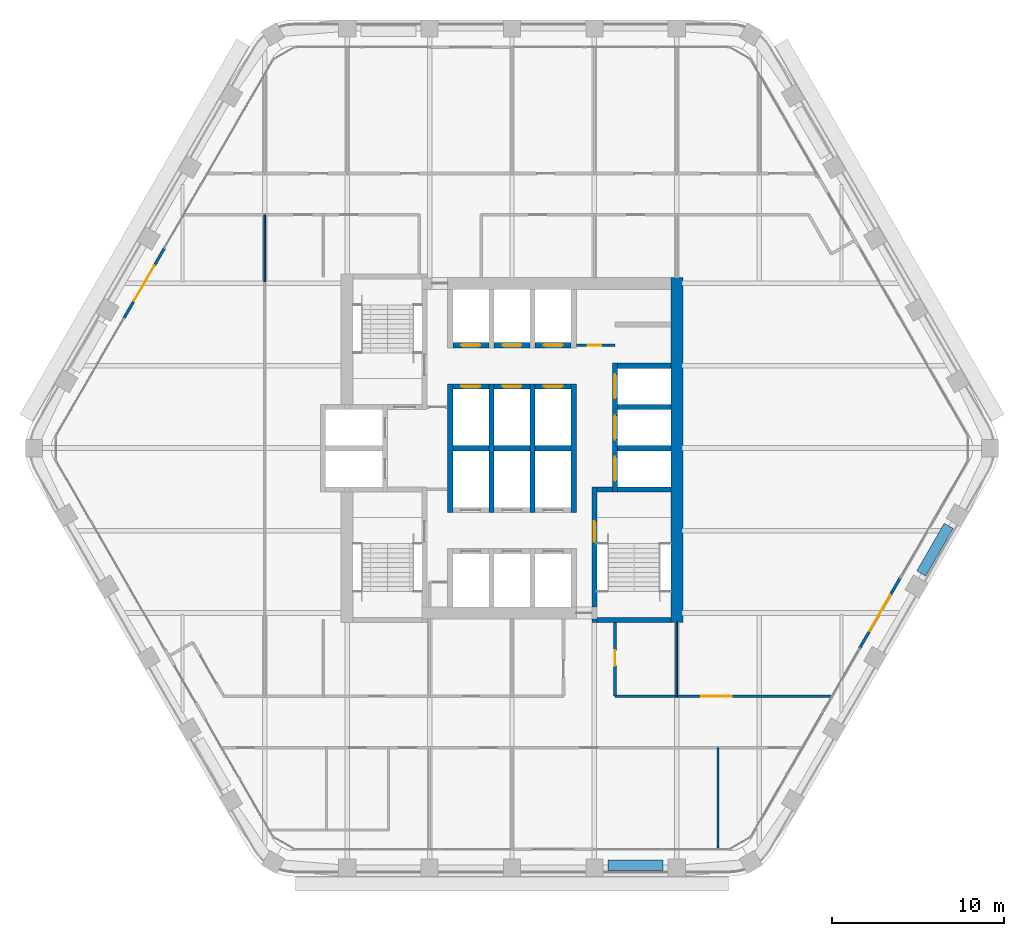
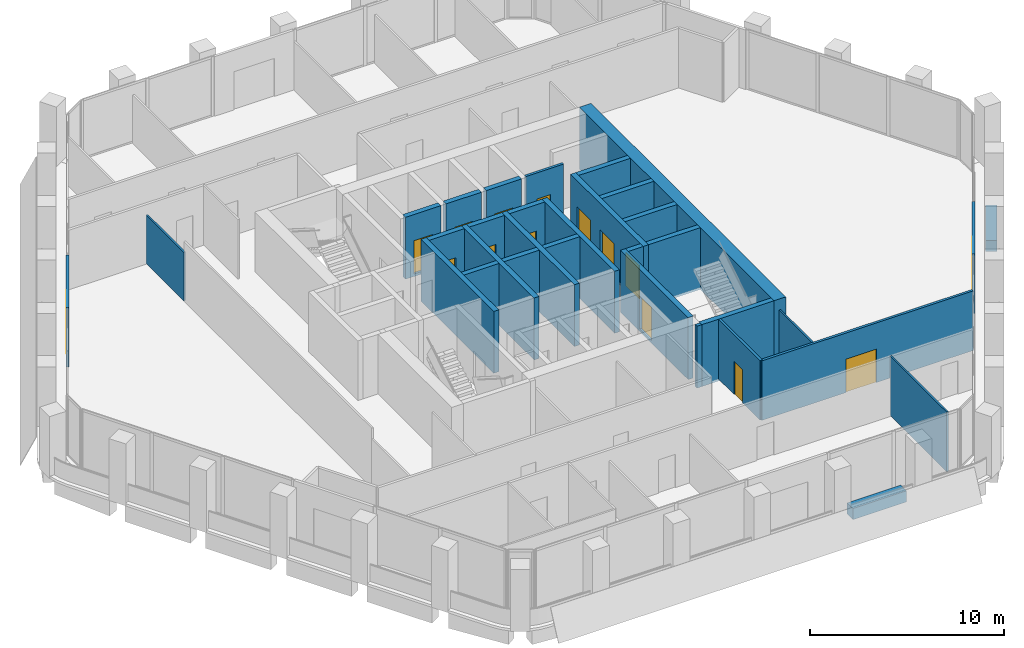
# One storey, part 10 of 15: 33 walls, 15 doors, 15 openings.
"""IFC4 building model written with IfcOpenShell, lengths in metres."""

from ifc_helpers import new_model, si_unit, direction, frame, frame_2d, origin, place, context, subcontext, project, spatial, rectangle, extrude, material, layer, layer_set, type_object, element, fill, save


model = new_model("IFC4")

# Units and contexts
model_context = context("Model", 3, precision=1e-05, world=origin(), true_north=direction((0.0, 1.0)))
body_context = subcontext(model_context, "Body", "Model", "MODEL_VIEW")
ifc_project = project(units=[si_unit("LENGTHUNIT", "METRE"), si_unit("AREAUNIT", "SQUARE_METRE"), si_unit("VOLUMEUNIT", "CUBIC_METRE"), si_unit("PLANEANGLEUNIT", "RADIAN"), si_unit("MASSUNIT", "GRAM", prefix="KILO")], contexts=[model_context])

# Site, building, storey
site_placement = place(None, origin())
site = spatial("IfcSite", under=ifc_project, at=site_placement, CompositionType="ELEMENT")
building_placement = place(site_placement, origin())
building = spatial("IfcBuilding", under=site, at=building_placement, Name="Kolab Exchange Tower", CompositionType="ELEMENT")
storey_placement = place(building_placement, frame((0.0, 0.0, 205.10009765625)))
storey = spatial("IfcBuildingStorey", under=building, at=storey_placement, Name="L44", CompositionType="ELEMENT", Elevation=205.10009765625)

# Wall
ifc_material_1 = material(Name="Concrete C60/75", Category="concrete")
ifc_layer_1 = layer(ifc_material_1, 0.699951171875)
ifc_layer_set_1 = layer_set([ifc_layer_1], Name="Concrete C60/75")
wall_type_1 = type_object("IfcWallType", Name="CORE WALL 700 C60/75", PredefinedType="SHEAR", material=ifc_layer_set_1)
wall_1_placement = place(storey_placement, frame((9.60009765625, -10.14990234375, -0.150146484375), z_axis=(0.0, 0.0, 1.0), x_axis=(0.0, 1.0, 0.0)))
element("IfcWall", 1, at=wall_1_placement, inside=storey, type_object=wall_type_1, Name="wall/L44/core/058", PredefinedType="SHEAR", context=body_context, shape_type="SweptSolid", body=[
    extrude(rectangle(XDim=20.099853515625, YDim=0.699951171875, at=frame_2d((10.0498046875, 0.0))), origin(), (0.0, 0.0, 1.0), 3.900146484375),
])

# Wall, opening, door
ifc_material_2 = material(Name="Aluminium EN AW-6063 T6", Category="aluminium")
ifc_layer_2 = layer(ifc_material_2, 0.159912109375)
ifc_layer_set_2 = layer_set([ifc_layer_2], Name="Aluminium EN AW-6063 T6")
wall_type_2 = type_object("IfcWallType", Name="DOOR SURROUND WALL 160 ALUMINIUM FRAMED", PredefinedType="PARTITIONING", material=ifc_layer_set_2)
wall_2_placement = place(storey_placement, frame((22.61669921875, -7.5498046875, 0.0), z_axis=(0.0, 0.0, 1.0), x_axis=(-0.5000167099, -0.866015756104, 0.0)))
wall_2 = element("IfcWall", 2, at=wall_2_placement, inside=storey, type_object=wall_type_2, Name="Door surround wall", PredefinedType="PARTITIONING", context=body_context, shape_type="SweptSolid", body=[
    extrude(rectangle(XDim=4.739990234375, YDim=0.159912109375, at=frame_2d((2.3701171875, 0.0))), origin(), (0.0, 0.0, 1.0), 3.75),
])
opening_1_placement = place(wall_2_placement, frame((1.169921875, 0.0, 0.0)))
opening_1 = element("IfcOpeningElement", 3, at=opening_1_placement, cuts=wall_2, Name="Opening GD1-066", PredefinedType="OPENING", context=body_context, shape_type="SweptSolid", body=[
    extrude(rectangle(XDim=2.39990234375, YDim=2.39990234375, at=frame_2d((1.199951171875, 1.199951171875))), frame((0.0, 0.08984375, 0.0), z_axis=(0.0, -1.0, 0.0), x_axis=(1.0, 0.0, 0.0)), (0.0, 0.0, 1.0), 0.179931640625),
])
door_type_1 = type_object("IfcDoorType", Name="LOGGIA SLIDING GLASS DOOR 2400 X 2400", OperationType="DOUBLE_DOOR_SINGLE_SWING", PredefinedType="DOOR", material=ifc_material_2)
door_1_placement = place(opening_1_placement, origin())
door_1 = element("IfcDoor", 4, at=door_1_placement, inside=storey, type_object=door_type_1, Name="Loggia door", OperationType="DOUBLE_DOOR_SLIDING", OverallHeight=2.39990234375, OverallWidth=2.39990234375, PredefinedType="DOOR", context=body_context, shape_type="SweptSolid", body=[
    extrude(rectangle(XDim=2.39990234375, YDim=2.39990234375, at=frame_2d((1.199951171875, 1.199951171875))), frame((0.0, 0.02490234375, 0.0), z_axis=(0.0, -1.0, 0.0), x_axis=(1.0, 0.0, 0.0)), (0.0, 0.0, 1.0), 0.050048828125),
])
fill(opening_1, door_1)

wall_3_placement = place(storey_placement, frame((-22.61669921875, 7.5498046875, 0.0), z_axis=(0.0, 0.0, 1.0), x_axis=(0.5000167099, 0.866015756104, 0.0)))
wall_3 = element("IfcWall", 5, at=wall_3_placement, inside=storey, type_object=wall_type_2, Name="Door surround wall", PredefinedType="PARTITIONING", context=body_context, shape_type="SweptSolid", body=[
    extrude(rectangle(XDim=4.739990234375, YDim=0.159912109375, at=frame_2d((2.3701171875, 0.0))), origin(), (0.0, 0.0, 1.0), 3.75),
])
opening_2_placement = place(wall_3_placement, frame((1.169921875, 0.0, 0.0)))
opening_2 = element("IfcOpeningElement", 6, at=opening_2_placement, cuts=wall_3, Name="Opening GD1-069", PredefinedType="OPENING", context=body_context, shape_type="SweptSolid", body=[
    extrude(rectangle(XDim=2.39990234375, YDim=2.39990234375, at=frame_2d((1.199951171875, 1.199951171875))), frame((0.0, 0.08984375, 0.0), z_axis=(0.0, -1.0, 0.0), x_axis=(1.0, 0.0, 0.0)), (0.0, 0.0, 1.0), 0.179931640625),
])
door_2_placement = place(opening_2_placement, origin())
door_2 = element("IfcDoor", 7, at=door_2_placement, inside=storey, type_object=door_type_1, Name="Loggia door", OperationType="DOUBLE_DOOR_SLIDING", OverallHeight=2.39990234375, OverallWidth=2.39990234375, PredefinedType="DOOR", context=body_context, shape_type="SweptSolid", body=[
    extrude(rectangle(XDim=2.39990234375, YDim=2.39990234375, at=frame_2d((1.199951171875, 1.199951171875))), frame((0.0, 0.02490234375, 0.0), z_axis=(0.0, -1.0, 0.0), x_axis=(1.0, 0.0, 0.0)), (0.0, 0.0, 1.0), 0.050048828125),
])
fill(opening_2, door_2)

# Walls
ifc_material_3 = material(Name="Concrete C50/60", Category="concrete")
ifc_layer_3 = layer(ifc_material_3, 0.300048828125)
ifc_layer_set_3 = layer_set([ifc_layer_3], Name="Concrete C50/60")
wall_type_3 = type_object("IfcWallType", Name="LIFT SHAFT WALL 300 C50/60", PredefinedType="STANDARD", material=ifc_layer_set_3)
wall_4_placement = place(storey_placement, frame((-3.449951171875, 0.0, -0.150146484375), z_axis=(0.0, 0.0, 1.0), x_axis=(1.0, 0.0, 0.0)))
element("IfcWall", 8, at=wall_4_placement, inside=storey, type_object=wall_type_3, Name="wall/L44/core/015", PredefinedType="STANDARD", context=body_context, shape_type="SweptSolid", body=[
    extrude(rectangle(XDim=2.099853515625, YDim=0.300048828125, at=frame_2d((1.0498046875, 0.0))), origin(), (0.0, 0.0, 1.0), 3.900146484375),
])
wall_5_placement = place(storey_placement, frame((-1.050048828125, 0.0, -0.150146484375), z_axis=(0.0, 0.0, 1.0), x_axis=(1.0, 0.0, 0.0)))
element("IfcWall", 9, at=wall_5_placement, inside=storey, type_object=wall_type_3, Name="wall/L44/core/016", PredefinedType="STANDARD", context=body_context, shape_type="SweptSolid", body=[
    extrude(rectangle(XDim=2.10009765625, YDim=0.300048828125, at=frame_2d((1.050048828125, 0.0))), origin(), (0.0, 0.0, 1.0), 3.900146484375),
])
wall_6_placement = place(storey_placement, frame((1.35009765625, 0.0, -0.150146484375), z_axis=(0.0, 0.0, 1.0), x_axis=(1.0, 0.0, 0.0)))
element("IfcWall", 10, at=wall_6_placement, inside=storey, type_object=wall_type_3, Name="wall/L44/core/017", PredefinedType="STANDARD", context=body_context, shape_type="SweptSolid", body=[
    extrude(rectangle(XDim=2.099853515625, YDim=0.300048828125, at=frame_2d((1.0498046875, 0.0))), origin(), (0.0, 0.0, 1.0), 3.900146484375),
])
for number, where, z_axis, x_axis, name in (
    (11, (6.14990234375, 0.0, -0.150146484375), (0.0, 0.0, 1.0), (1.0, 0.0, 0.0), "wall/L44/core/018"),
    (12, (6.14990234375, 2.39990234375, -0.150146484375), (0.0, 0.0, 1.0), (1.0, 0.0, 0.0), "wall/L44/core/022"),
):
    element("IfcWall", number, at=place(storey_placement, frame(where, z_axis=z_axis, x_axis=x_axis)), inside=storey, type_object=wall_type_3, Name=name, PredefinedType="STANDARD", context=body_context, shape_type="SweptSolid", body=[
        extrude(rectangle(XDim=3.10009765625, YDim=0.300048828125, at=frame_2d((1.550048828125, 0.0))), origin(), (0.0, 0.0, 1.0), 3.900146484375),
    ])

# Wall, opening, door
wall_7_placement = place(storey_placement, frame((-3.449951171875, 3.60009765625, -0.150146484375), z_axis=(0.0, 0.0, 1.0), x_axis=(1.0, 0.0, 0.0)))
wall_7 = element("IfcWall", 13, at=wall_7_placement, inside=storey, type_object=wall_type_3, Name="wall/L44/core/023", PredefinedType="STANDARD", context=body_context, shape_type="SweptSolid", body=[
    extrude(rectangle(XDim=2.099853515625, YDim=0.300048828125, at=frame_2d((1.0498046875, 0.0))), origin(), (0.0, 0.0, 1.0), 3.900146484375),
])
opening_3_placement = place(wall_7_placement, frame((0.5, 0.0, 0.14990234375)))
opening_3 = element("IfcOpeningElement", 14, at=opening_3_placement, cuts=wall_7, Name="Opening LD1-115", PredefinedType="OPENING", context=body_context, shape_type="SweptSolid", body=[
    extrude(rectangle(XDim=1.10009765625, YDim=2.10009765625, at=frame_2d((0.550048828125, 1.050048828125))), frame((0.0, 0.16015625, 0.0), z_axis=(0.0, -1.0, 0.0), x_axis=(1.0, 0.0, 0.0)), (0.0, 0.0, 1.0), 0.320068359375),
])
ifc_material_4 = material(Name="Stainless steel 316", Category="steel")
door_type_2 = type_object("IfcDoorType", Name="LANDING DOOR 1100 PASSENGER", OperationType="DOUBLE_DOOR_SLIDING", PredefinedType="DOOR", material=ifc_material_4)
door_3_placement = place(opening_3_placement, origin())
door_3 = element("IfcDoor", 15, at=door_3_placement, inside=storey, type_object=door_type_2, Name="Landing door HR4", OperationType="DOUBLE_DOOR_SLIDING", OverallHeight=2.10009765625, OverallWidth=1.10009765625, PredefinedType="DOOR", context=body_context, shape_type="SweptSolid", body=[
    extrude(rectangle(XDim=1.10009765625, YDim=2.10009765625, at=frame_2d((0.550048828125, 1.050048828125))), frame((0.0, 0.02490234375, 0.0), z_axis=(0.0, -1.0, 0.0), x_axis=(1.0, 0.0, 0.0)), (0.0, 0.0, 1.0), 0.050048828125),
])
fill(opening_3, door_3)

wall_8_placement = place(storey_placement, frame((-1.050048828125, 3.60009765625, -0.150146484375), z_axis=(0.0, 0.0, 1.0), x_axis=(1.0, 0.0, 0.0)))
wall_8 = element("IfcWall", 16, at=wall_8_placement, inside=storey, type_object=wall_type_3, Name="wall/L44/core/024", PredefinedType="STANDARD", context=body_context, shape_type="SweptSolid", body=[
    extrude(rectangle(XDim=2.10009765625, YDim=0.300048828125, at=frame_2d((1.050048828125, 0.0))), origin(), (0.0, 0.0, 1.0), 3.900146484375),
])
opening_4_placement = place(wall_8_placement, frame((0.5, 0.0, 0.14990234375)))
opening_4 = element("IfcOpeningElement", 17, at=opening_4_placement, cuts=wall_8, Name="Opening LD1-116", PredefinedType="OPENING", context=body_context, shape_type="SweptSolid", body=[
    extrude(rectangle(XDim=1.10009765625, YDim=2.10009765625, at=frame_2d((0.550048828125, 1.050048828125))), frame((0.0, 0.16015625, 0.0), z_axis=(0.0, -1.0, 0.0), x_axis=(1.0, 0.0, 0.0)), (0.0, 0.0, 1.0), 0.320068359375),
])
door_4_placement = place(opening_4_placement, origin())
door_4 = element("IfcDoor", 18, at=door_4_placement, inside=storey, type_object=door_type_2, Name="Landing door HR5", OperationType="DOUBLE_DOOR_SLIDING", OverallHeight=2.10009765625, OverallWidth=1.10009765625, PredefinedType="DOOR", context=body_context, shape_type="SweptSolid", body=[
    extrude(rectangle(XDim=1.10009765625, YDim=2.10009765625, at=frame_2d((0.550048828125, 1.050048828125))), frame((0.0, 0.02490234375, 0.0), z_axis=(0.0, -1.0, 0.0), x_axis=(1.0, 0.0, 0.0)), (0.0, 0.0, 1.0), 0.050048828125),
])
fill(opening_4, door_4)

wall_9_placement = place(storey_placement, frame((1.35009765625, 3.60009765625, -0.150146484375), z_axis=(0.0, 0.0, 1.0), x_axis=(1.0, 0.0, 0.0)))
wall_9 = element("IfcWall", 19, at=wall_9_placement, inside=storey, type_object=wall_type_3, Name="wall/L44/core/025", PredefinedType="STANDARD", context=body_context, shape_type="SweptSolid", body=[
    extrude(rectangle(XDim=2.099853515625, YDim=0.300048828125, at=frame_2d((1.0498046875, 0.0))), origin(), (0.0, 0.0, 1.0), 3.900146484375),
])
opening_5_placement = place(wall_9_placement, frame((0.5, 0.0, 0.14990234375)))
opening_5 = element("IfcOpeningElement", 20, at=opening_5_placement, cuts=wall_9, Name="Opening LD1-117", PredefinedType="OPENING", context=body_context, shape_type="SweptSolid", body=[
    extrude(rectangle(XDim=1.10009765625, YDim=2.10009765625, at=frame_2d((0.550048828125, 1.050048828125))), frame((0.0, 0.16015625, 0.0), z_axis=(0.0, -1.0, 0.0), x_axis=(1.0, 0.0, 0.0)), (0.0, 0.0, 1.0), 0.320068359375),
])
door_5_placement = place(opening_5_placement, origin())
door_5 = element("IfcDoor", 21, at=door_5_placement, inside=storey, type_object=door_type_2, Name="Landing door HR6", OperationType="DOUBLE_DOOR_SLIDING", OverallHeight=2.10009765625, OverallWidth=1.10009765625, PredefinedType="DOOR", context=body_context, shape_type="SweptSolid", body=[
    extrude(rectangle(XDim=1.10009765625, YDim=2.10009765625, at=frame_2d((0.550048828125, 1.050048828125))), frame((0.0, 0.02490234375, 0.0), z_axis=(0.0, -1.0, 0.0), x_axis=(1.0, 0.0, 0.0)), (0.0, 0.0, 1.0), 0.050048828125),
])
fill(opening_5, door_5)

# Wall
wall_10_placement = place(storey_placement, frame((6.14990234375, 4.800048828125, -0.150146484375), z_axis=(0.0, 0.0, 1.0), x_axis=(1.0, 0.0, 0.0)))
element("IfcWall", 22, at=wall_10_placement, inside=storey, type_object=wall_type_3, Name="wall/L44/core/026", PredefinedType="STANDARD", context=body_context, shape_type="SweptSolid", body=[
    extrude(rectangle(XDim=3.10009765625, YDim=0.300048828125, at=frame_2d((1.550048828125, 0.0))), origin(), (0.0, 0.0, 1.0), 3.900146484375),
])

# Wall, opening, door
wall_11_placement = place(storey_placement, frame((-3.449951171875, 6.0, -0.150146484375), z_axis=(0.0, 0.0, 1.0), x_axis=(1.0, 0.0, 0.0)))
wall_11 = element("IfcWall", 23, at=wall_11_placement, inside=storey, type_object=wall_type_3, Name="wall/L44/core/027", PredefinedType="STANDARD", context=body_context, shape_type="SweptSolid", body=[
    extrude(rectangle(XDim=2.099853515625, YDim=0.300048828125, at=frame_2d((1.0498046875, 0.0))), origin(), (0.0, 0.0, 1.0), 3.900146484375),
])
opening_6_placement = place(wall_11_placement, frame((0.5, 0.0, 0.14990234375)))
opening_6 = element("IfcOpeningElement", 24, at=opening_6_placement, cuts=wall_11, Name="Opening LD1-109", PredefinedType="OPENING", context=body_context, shape_type="SweptSolid", body=[
    extrude(rectangle(XDim=1.10009765625, YDim=2.10009765625, at=frame_2d((0.550048828125, 1.050048828125))), frame((0.0, 0.16015625, 0.0), z_axis=(0.0, -1.0, 0.0), x_axis=(1.0, 0.0, 0.0)), (0.0, 0.0, 1.0), 0.320068359375),
])
door_6_placement = place(opening_6_placement, origin())
door_6 = element("IfcDoor", 25, at=door_6_placement, inside=storey, type_object=door_type_2, Name="Landing door HR1", OperationType="DOUBLE_DOOR_SLIDING", OverallHeight=2.10009765625, OverallWidth=1.10009765625, PredefinedType="DOOR", context=body_context, shape_type="SweptSolid", body=[
    extrude(rectangle(XDim=1.10009765625, YDim=2.10009765625, at=frame_2d((0.550048828125, 1.050048828125))), frame((0.0, 0.02490234375, 0.0), z_axis=(0.0, -1.0, 0.0), x_axis=(1.0, 0.0, 0.0)), (0.0, 0.0, 1.0), 0.050048828125),
])
fill(opening_6, door_6)

wall_12_placement = place(storey_placement, frame((-1.050048828125, 6.0, -0.150146484375), z_axis=(0.0, 0.0, 1.0), x_axis=(1.0, 0.0, 0.0)))
wall_12 = element("IfcWall", 26, at=wall_12_placement, inside=storey, type_object=wall_type_3, Name="wall/L44/core/028", PredefinedType="STANDARD", context=body_context, shape_type="SweptSolid", body=[
    extrude(rectangle(XDim=2.10009765625, YDim=0.300048828125, at=frame_2d((1.050048828125, 0.0))), origin(), (0.0, 0.0, 1.0), 3.900146484375),
])
opening_7_placement = place(wall_12_placement, frame((0.5, 0.0, 0.14990234375)))
opening_7 = element("IfcOpeningElement", 27, at=opening_7_placement, cuts=wall_12, Name="Opening LD1-113", PredefinedType="OPENING", context=body_context, shape_type="SweptSolid", body=[
    extrude(rectangle(XDim=1.10009765625, YDim=2.10009765625, at=frame_2d((0.550048828125, 1.050048828125))), frame((0.0, 0.16015625, 0.0), z_axis=(0.0, -1.0, 0.0), x_axis=(1.0, 0.0, 0.0)), (0.0, 0.0, 1.0), 0.320068359375),
])
door_7_placement = place(opening_7_placement, origin())
door_7 = element("IfcDoor", 28, at=door_7_placement, inside=storey, type_object=door_type_2, Name="Landing door HR2", OperationType="DOUBLE_DOOR_SLIDING", OverallHeight=2.10009765625, OverallWidth=1.10009765625, PredefinedType="DOOR", context=body_context, shape_type="SweptSolid", body=[
    extrude(rectangle(XDim=1.10009765625, YDim=2.10009765625, at=frame_2d((0.550048828125, 1.050048828125))), frame((0.0, 0.02490234375, 0.0), z_axis=(0.0, -1.0, 0.0), x_axis=(1.0, 0.0, 0.0)), (0.0, 0.0, 1.0), 0.050048828125),
])
fill(opening_7, door_7)

wall_13_placement = place(storey_placement, frame((1.35009765625, 6.0, -0.150146484375), z_axis=(0.0, 0.0, 1.0), x_axis=(1.0, 0.0, 0.0)))
wall_13 = element("IfcWall", 29, at=wall_13_placement, inside=storey, type_object=wall_type_3, Name="wall/L44/core/029", PredefinedType="STANDARD", context=body_context, shape_type="SweptSolid", body=[
    extrude(rectangle(XDim=2.099853515625, YDim=0.300048828125, at=frame_2d((1.0498046875, 0.0))), origin(), (0.0, 0.0, 1.0), 3.900146484375),
])
opening_8_placement = place(wall_13_placement, frame((0.5, 0.0, 0.14990234375)))
opening_8 = element("IfcOpeningElement", 30, at=opening_8_placement, cuts=wall_13, Name="Opening LD1-114", PredefinedType="OPENING", context=body_context, shape_type="SweptSolid", body=[
    extrude(rectangle(XDim=1.10009765625, YDim=2.10009765625, at=frame_2d((0.550048828125, 1.050048828125))), frame((0.0, 0.16015625, 0.0), z_axis=(0.0, -1.0, 0.0), x_axis=(1.0, 0.0, 0.0)), (0.0, 0.0, 1.0), 0.320068359375),
])
door_8_placement = place(opening_8_placement, origin())
door_8 = element("IfcDoor", 31, at=door_8_placement, inside=storey, type_object=door_type_2, Name="Landing door HR3", OperationType="DOUBLE_DOOR_SLIDING", OverallHeight=2.10009765625, OverallWidth=1.10009765625, PredefinedType="DOOR", context=body_context, shape_type="SweptSolid", body=[
    extrude(rectangle(XDim=1.10009765625, YDim=2.10009765625, at=frame_2d((0.550048828125, 1.050048828125))), frame((0.0, 0.02490234375, 0.0), z_axis=(0.0, -1.0, 0.0), x_axis=(1.0, 0.0, 0.0)), (0.0, 0.0, 1.0), 0.050048828125),
])
fill(opening_8, door_8)

# Walls
for number, where, z_axis, x_axis, name in (
    (32, (-3.60009765625, -3.75, -0.150146484375), (0.0, 0.0, 1.0), (0.0, 1.0, 0.0), "wall/L44/core/044"),
    (33, (-1.199951171875, -3.75, -0.150146484375), (0.0, 0.0, 1.0), (0.0, 1.0, 0.0), "wall/L44/core/047"),
    (34, (1.199951171875, -3.75, -0.150146484375), (0.0, 0.0, 1.0), (0.0, 1.0, 0.0), "wall/L44/core/050"),
    (35, (3.60009765625, -3.75, -0.150146484375), (0.0, 0.0, 1.0), (0.0, 1.0, 0.0), "wall/L44/core/053"),
):
    element("IfcWall", number, at=place(storey_placement, frame(where, z_axis=z_axis, x_axis=x_axis)), inside=storey, type_object=wall_type_3, Name=name, PredefinedType="STANDARD", context=body_context, shape_type="SweptSolid", body=[
        extrude(rectangle(XDim=7.5, YDim=0.300048828125, at=frame_2d((3.75, 0.0))), origin(), (0.0, 0.0, 1.0), 3.900146484375),
    ])

# Wall, openings, doors
wall_14_placement = place(storey_placement, frame((6.0, -2.550048828125, -0.150146484375), z_axis=(0.0, 0.0, 1.0), x_axis=(0.0, 1.0, 0.0)))
wall_14 = element("IfcWall", 36, at=wall_14_placement, inside=storey, type_object=wall_type_3, Name="wall/L44/core/057", PredefinedType="STANDARD", context=body_context, shape_type="SweptSolid", body=[
    extrude(rectangle(XDim=7.5, YDim=0.300048828125, at=frame_2d((3.75, 0.0))), origin(), (0.0, 0.0, 1.0), 3.900146484375),
])
opening_9_placement = place(wall_14_placement, frame((0.64990234375, 0.0, 0.14990234375)))
opening_9 = element("IfcOpeningElement", 37, at=opening_9_placement, cuts=wall_14, Name="Opening LD3-037", PredefinedType="OPENING", context=body_context, shape_type="SweptSolid", body=[
    extrude(rectangle(XDim=1.39990234375, YDim=2.10009765625, at=frame_2d((0.699951171875, 1.050048828125))), frame((0.0, 0.16015625, 0.0), z_axis=(0.0, -1.0, 0.0), x_axis=(1.0, 0.0, 0.0)), (0.0, 0.0, 1.0), 0.320068359375),
])
opening_10_placement = place(wall_14_placement, frame((3.050048828125, 0.0, 0.14990234375)))
opening_10 = element("IfcOpeningElement", 38, at=opening_10_placement, cuts=wall_14, Name="Opening LD3-038", PredefinedType="OPENING", context=body_context, shape_type="SweptSolid", body=[
    extrude(rectangle(XDim=1.39990234375, YDim=2.10009765625, at=frame_2d((0.699951171875, 1.050048828125))), frame((0.0, 0.16015625, 0.0), z_axis=(0.0, -1.0, 0.0), x_axis=(1.0, 0.0, 0.0)), (0.0, 0.0, 1.0), 0.320068359375),
])
opening_11_placement = place(wall_14_placement, frame((5.449951171875, 0.0, 0.14990234375)))
opening_11 = element("IfcOpeningElement", 39, at=opening_11_placement, cuts=wall_14, Name="Opening LD3-039", PredefinedType="OPENING", context=body_context, shape_type="SweptSolid", body=[
    extrude(rectangle(XDim=1.39990234375, YDim=2.10009765625, at=frame_2d((0.699951171875, 1.050048828125))), frame((0.0, 0.16015625, 0.0), z_axis=(0.0, -1.0, 0.0), x_axis=(1.0, 0.0, 0.0)), (0.0, 0.0, 1.0), 0.320068359375),
])
door_type_3 = type_object("IfcDoorType", Name="LANDING DOOR 1400 SERVICE", OperationType="DOUBLE_DOOR_SLIDING", PredefinedType="DOOR", material=ifc_material_4)
door_9_placement = place(opening_9_placement, origin())
door_9 = element("IfcDoor", 40, at=door_9_placement, inside=storey, type_object=door_type_3, Name="Landing door SV1", OperationType="DOUBLE_DOOR_SLIDING", OverallHeight=2.10009765625, OverallWidth=1.39990234375, PredefinedType="DOOR", context=body_context, shape_type="SweptSolid", body=[
    extrude(rectangle(XDim=1.39990234375, YDim=2.10009765625, at=frame_2d((0.699951171875, 1.050048828125))), frame((0.0, 0.02490234375, 0.0), z_axis=(0.0, -1.0, 0.0), x_axis=(1.0, 0.0, 0.0)), (0.0, 0.0, 1.0), 0.050048828125),
])
fill(opening_9, door_9)
door_10_placement = place(opening_10_placement, origin())
door_10 = element("IfcDoor", 41, at=door_10_placement, inside=storey, type_object=door_type_3, Name="Landing door SV2", OperationType="DOUBLE_DOOR_SLIDING", OverallHeight=2.10009765625, OverallWidth=1.39990234375, PredefinedType="DOOR", context=body_context, shape_type="SweptSolid", body=[
    extrude(rectangle(XDim=1.39990234375, YDim=2.10009765625, at=frame_2d((0.699951171875, 1.050048828125))), frame((0.0, 0.02490234375, 0.0), z_axis=(0.0, -1.0, 0.0), x_axis=(1.0, 0.0, 0.0)), (0.0, 0.0, 1.0), 0.050048828125),
])
fill(opening_10, door_10)
door_11_placement = place(opening_11_placement, origin())
door_11 = element("IfcDoor", 42, at=door_11_placement, inside=storey, type_object=door_type_3, Name="Landing door SV3", OperationType="DOUBLE_DOOR_SLIDING", OverallHeight=2.10009765625, OverallWidth=1.39990234375, PredefinedType="DOOR", context=body_context, shape_type="SweptSolid", body=[
    extrude(rectangle(XDim=1.39990234375, YDim=2.10009765625, at=frame_2d((0.699951171875, 1.050048828125))), frame((0.0, 0.02490234375, 0.0), z_axis=(0.0, -1.0, 0.0), x_axis=(1.0, 0.0, 0.0)), (0.0, 0.0, 1.0), 0.050048828125),
])
fill(opening_11, door_11)

# Walls
ifc_material_5 = material(Name="Gypsum board", Category="gypsum")
ifc_layer_4 = layer(ifc_material_5, 0.10009765625)
ifc_layer_set_4 = layer_set([ifc_layer_4], Name="Gypsum board")
wall_type_4 = type_object("IfcWallType", Name="PARTITION 100", PredefinedType="PARTITIONING", material=ifc_layer_set_4)
wall_15_placement = place(storey_placement, frame((12.0, -23.271484375, 0.0), z_axis=(0.0, 0.0, 1.0), x_axis=(0.0, 1.0, 0.0)))
element("IfcWall", 43, at=wall_15_placement, inside=storey, type_object=wall_type_4, Name="Partition 001", PredefinedType="PARTITIONING", context=body_context, shape_type="SweptSolid", body=[
    extrude(rectangle(XDim=5.830078125, YDim=0.10009765625, at=frame_2d((2.9150390625, 0.0))), origin(), (0.0, 0.0, 1.0), 3.75),
])
wall_16_placement = place(storey_placement, frame((9.60009765625, -14.44140625, 0.0), z_axis=(0.0, 0.0, 1.0), x_axis=(0.0, 1.0, 0.0)))
element("IfcWall", 44, at=wall_16_placement, inside=storey, type_object=wall_type_4, Name="Partition 002", PredefinedType="PARTITIONING", context=body_context, shape_type="SweptSolid", body=[
    extrude(rectangle(XDim=4.29150390625, YDim=0.10009765625, at=frame_2d((2.145751953125, 0.0))), origin(), (0.0, 0.0, 1.0), 3.06591796875),
])
wall_17_placement = place(storey_placement, frame((-14.39990234375, 9.693603515625, 0.0), z_axis=(0.0, 0.0, 1.0), x_axis=(0.0, 1.0, 0.0)))
element("IfcWall", 45, at=wall_17_placement, inside=storey, type_object=wall_type_4, Name="Partition 022", PredefinedType="PARTITIONING", context=body_context, shape_type="SweptSolid", body=[
    extrude(rectangle(XDim=3.906494140625, YDim=0.10009765625, at=frame_2d((1.953125, 0.0))), origin(), (0.0, 0.0, 1.0), 3.06591796875),
])

# Wall, opening, door
ifc_layer_5 = layer(ifc_material_5, 0.14990234375)
ifc_layer_set_5 = layer_set([ifc_layer_5], Name="Gypsum board")
wall_type_5 = type_object("IfcWallType", Name="PARTITION 150 FIRE-RATED", PredefinedType="PARTITIONING", material=ifc_layer_set_5)
wall_18_placement = place(storey_placement, frame((6.0, -14.44140625, 0.0), z_axis=(0.0, 0.0, 1.0), x_axis=(0.0, 1.0, 0.0)))
wall_18 = element("IfcWall", 46, at=wall_18_placement, inside=storey, type_object=wall_type_5, Name="Partition 005", PredefinedType="PARTITIONING", context=body_context, shape_type="SweptSolid", body=[
    extrude(rectangle(XDim=4.29150390625, YDim=0.14990234375, at=frame_2d((2.145751953125, 0.0))), origin(), (0.0, 0.0, 1.0), 3.75),
])
opening_12_placement = place(wall_18_placement, frame((1.770751953125, 0.0, 0.0)))
opening_12 = element("IfcOpeningElement", 47, at=opening_12_placement, cuts=wall_18, Name="Opening D3-063", PredefinedType="OPENING", context=body_context, shape_type="SweptSolid", body=[
    extrude(rectangle(XDim=0.89990234375, YDim=2.10009765625, at=frame_2d((0.449951171875, 1.050048828125))), frame((0.0, 0.0849609375, 0.0), z_axis=(0.0, -1.0, 0.0), x_axis=(1.0, 0.0, 0.0)), (0.0, 0.0, 1.0), 0.169921875),
])
ifc_material_6 = material(Name="Steel S235", Category="steel")
door_type_4 = type_object("IfcDoorType", Name="FLUSH DOOR 900 FD60", OperationType="SINGLE_SWING_LEFT", PredefinedType="DOOR", material=ifc_material_6)
door_12_placement = place(opening_12_placement, frame((0.89990234375, 0.0, 0.0), z_axis=(0.0, 0.0, 1.0), x_axis=(-1.0, 0.0, 0.0)))
door_12 = element("IfcDoor", 48, at=door_12_placement, inside=storey, type_object=door_type_4, Name="Door L44-034", OperationType="SINGLE_SWING_RIGHT", OverallHeight=2.10009765625, OverallWidth=0.89990234375, PredefinedType="DOOR", context=body_context, shape_type="SweptSolid", body=[
    extrude(rectangle(XDim=0.89990234375, YDim=2.10009765625, at=frame_2d((0.449951171875, 1.050048828125))), frame((0.0, 0.02490234375, 0.0), z_axis=(0.0, -1.0, 0.0), x_axis=(1.0, 0.0, 0.0)), (0.0, 0.0, 1.0), 0.050048828125),
])
fill(opening_12, door_12)

wall_19_placement = place(storey_placement, frame((6.0, -14.44140625, 0.0), z_axis=(0.0, 0.0, 1.0), x_axis=(1.0, 0.0, 0.0)))
wall_19 = element("IfcWall", 49, at=wall_19_placement, inside=storey, type_object=wall_type_5, Name="Partition 031", PredefinedType="PARTITIONING", context=body_context, shape_type="SweptSolid", body=[
    extrude(rectangle(XDim=12.591552734375, YDim=0.14990234375, at=frame_2d((6.2958984375, 0.0))), origin(), (0.0, 0.0, 1.0), 3.75),
])
opening_13_placement = place(wall_19_placement, frame((5.014404296875, 0.0, 0.0)))
opening_13 = element("IfcOpeningElement", 50, at=opening_13_placement, cuts=wall_19, Name="Opening D2-059", PredefinedType="OPENING", context=body_context, shape_type="SweptSolid", body=[
    extrude(rectangle(XDim=1.800048828125, YDim=2.10009765625, at=frame_2d((0.89990234375, 1.050048828125))), frame((0.0, 0.0849609375, 0.0), z_axis=(0.0, -1.0, 0.0), x_axis=(1.0, 0.0, 0.0)), (0.0, 0.0, 1.0), 0.169921875),
])
door_type_5 = type_object("IfcDoorType", Name="DOUBLE DOOR 1800 FD60", OperationType="DOUBLE_DOOR_SINGLE_SWING", PredefinedType="DOOR", material=ifc_material_6)
door_13_placement = place(opening_13_placement, origin())
door_13 = element("IfcDoor", 51, at=door_13_placement, inside=storey, type_object=door_type_5, Name="Door L44-051", OperationType="SINGLE_SWING_LEFT", OverallHeight=2.10009765625, OverallWidth=1.800048828125, PredefinedType="DOOR", context=body_context, shape_type="SweptSolid", body=[
    extrude(rectangle(XDim=1.800048828125, YDim=2.10009765625, at=frame_2d((0.89990234375, 1.050048828125))), frame((0.0, 0.02490234375, 0.0), z_axis=(0.0, -1.0, 0.0), x_axis=(1.0, 0.0, 0.0)), (0.0, 0.0, 1.0), 0.050048828125),
])
fill(opening_13, door_13)

wall_20_placement = place(storey_placement, frame((3.75, 6.0, 0.0), z_axis=(0.0, 0.0, 1.0), x_axis=(1.0, 0.0, 0.0)))
wall_20 = element("IfcWall", 52, at=wall_20_placement, inside=storey, type_object=wall_type_5, Name="Partition 033", PredefinedType="PARTITIONING", context=body_context, shape_type="SweptSolid", body=[
    extrude(rectangle(XDim=2.25, YDim=0.14990234375, at=frame_2d((1.125, 0.0))), origin(), (0.0, 0.0, 1.0), 3.75),
])
opening_14_placement = place(wall_20_placement, frame((0.64990234375, 0.0, 0.0)))
opening_14 = element("IfcOpeningElement", 53, at=opening_14_placement, cuts=wall_20, Name="Opening D7-036", PredefinedType="OPENING", context=body_context, shape_type="SweptSolid", body=[
    extrude(rectangle(XDim=0.800048828125, YDim=2.10009765625, at=frame_2d((0.39990234375, 1.050048828125))), frame((0.0, 0.0849609375, 0.0), z_axis=(0.0, -1.0, 0.0), x_axis=(1.0, 0.0, 0.0)), (0.0, 0.0, 1.0), 0.169921875),
])
door_type_6 = type_object("IfcDoorType", Name="FLUSH DOOR 800 FD60", OperationType="SINGLE_SWING_LEFT", PredefinedType="DOOR", material=ifc_material_6)
door_14_placement = place(opening_14_placement, origin())
door_14 = element("IfcDoor", 54, at=door_14_placement, inside=storey, type_object=door_type_6, Name="Door L44-023", OperationType="SINGLE_SWING_LEFT", OverallHeight=2.10009765625, OverallWidth=0.800048828125, PredefinedType="DOOR", context=body_context, shape_type="SweptSolid", body=[
    extrude(rectangle(XDim=0.800048828125, YDim=2.10009765625, at=frame_2d((0.39990234375, 1.050048828125))), frame((0.0, 0.02490234375, 0.0), z_axis=(0.0, -1.0, 0.0), x_axis=(1.0, 0.0, 0.0)), (0.0, 0.0, 1.0), 0.050048828125),
])
fill(opening_14, door_14)

# Walls
ifc_material_7 = material(Name="Granite facing", Category="masonry")
ifc_layer_6 = layer(ifc_material_7, 0.0400390625)
ifc_material_8 = material(Name="Concrete C40/50 precast", Category="concrete")
ifc_layer_7 = layer(ifc_material_8, 0.56005859375)
ifc_layer_set_6 = layer_set([ifc_layer_6, ifc_layer_7], Name="Concrete C40/50 precast")
wall_type_6 = type_object("IfcWallType", Name="PLANTER BOX 600 X 700 SOIL DEPTH 550", PredefinedType="USERDEFINED", material=ifc_layer_set_6)
wall_21_placement = place(storey_placement, frame((25.43701171875, -4.524658203125, 0.0), z_axis=(0.0, 0.0, 1.0), x_axis=(-0.499938187974, -0.866061088033, 0.0)))
element("IfcWall", 55, at=wall_21_placement, inside=storey, type_object=wall_type_6, Name="Planter", ObjectType="PLANTER", PredefinedType="USERDEFINED", context=body_context, shape_type="SweptSolid", body=[
    extrude(rectangle(XDim=3.2001953125, YDim=0.60009765625, at=frame_2d((1.60009765625, 0.0))), origin(), (0.0, 0.0, 1.0), 0.699951171875),
])
wall_22_placement = place(storey_placement, frame((8.800048828125, -24.29150390625, 0.0), z_axis=(0.0, 0.0, 1.0), x_axis=(-1.0, 0.0, 0.0)))
element("IfcWall", 56, at=wall_22_placement, inside=storey, type_object=wall_type_6, Name="Planter", ObjectType="PLANTER", PredefinedType="USERDEFINED", context=body_context, shape_type="SweptSolid", body=[
    extrude(rectangle(XDim=3.199951171875, YDim=0.60009765625, at=frame_2d((1.60009765625, 0.0))), origin(), (0.0, 0.0, 1.0), 0.699951171875),
])
ifc_layer_8 = layer(ifc_material_3, 0.300048828125)
ifc_layer_set_7 = layer_set([ifc_layer_8], Name="Concrete C50/60")
wall_type_7 = type_object("IfcWallType", Name="STAIR ENCLOSURE WALL 300 C50/60", PredefinedType="STANDARD", material=ifc_layer_set_7)
wall_23_placement = place(storey_placement, frame((4.949951171875, -10.0, -0.150146484375), z_axis=(0.0, 0.0, 1.0), x_axis=(1.0, 0.0, 0.0)))
element("IfcWall", 57, at=wall_23_placement, inside=storey, type_object=wall_type_7, Name="wall/L44/core/001", PredefinedType="STANDARD", context=body_context, shape_type="SweptSolid", body=[
    extrude(rectangle(XDim=4.300048828125, YDim=0.300048828125, at=frame_2d((2.14990234375, 0.0))), origin(), (0.0, 0.0, 1.0), 3.900146484375),
])
wall_24_placement = place(storey_placement, frame((4.949951171875, -2.39990234375, -0.150146484375), z_axis=(0.0, 0.0, 1.0), x_axis=(1.0, 0.0, 0.0)))
element("IfcWall", 58, at=wall_24_placement, inside=storey, type_object=wall_type_7, Name="wall/L44/core/012", PredefinedType="STANDARD", context=body_context, shape_type="SweptSolid", body=[
    extrude(rectangle(XDim=0.900146484375, YDim=0.300048828125, at=frame_2d((0.4501953125, 0.0))), origin(), (0.0, 0.0, 1.0), 3.900146484375),
])
wall_25_placement = place(storey_placement, frame((6.14990234375, -2.39990234375, -0.150146484375), z_axis=(0.0, 0.0, 1.0), x_axis=(1.0, 0.0, 0.0)))
element("IfcWall", 59, at=wall_25_placement, inside=storey, type_object=wall_type_7, Name="wall/L44/core/013", PredefinedType="STANDARD", context=body_context, shape_type="SweptSolid", body=[
    extrude(rectangle(XDim=3.10009765625, YDim=0.300048828125, at=frame_2d((1.550048828125, 0.0))), origin(), (0.0, 0.0, 1.0), 3.900146484375),
])
wall_26_placement = place(storey_placement, frame((4.800048828125, -10.14990234375, -0.150146484375), z_axis=(0.0, 0.0, 1.0), x_axis=(0.0, 1.0, 0.0)))
element("IfcWall", 60, at=wall_26_placement, inside=storey, type_object=wall_type_7, Name="wall/L44/core/055", PredefinedType="STANDARD", context=body_context, shape_type="SweptSolid", body=[
    extrude(rectangle(XDim=0.199951171875, YDim=0.300048828125, at=frame_2d((0.10009765625, 0.0))), origin(), (0.0, 0.0, 1.0), 3.900146484375),
])

# Wall, opening, door
wall_27_placement = place(storey_placement, frame((4.800048828125, -9.25, -0.150146484375), z_axis=(0.0, 0.0, 1.0), x_axis=(0.0, 1.0, 0.0)))
wall_27 = element("IfcWall", 61, at=wall_27_placement, inside=storey, type_object=wall_type_7, Name="wall/L44/core/056", PredefinedType="STANDARD", context=body_context, shape_type="SweptSolid", body=[
    extrude(rectangle(XDim=7.0, YDim=0.300048828125, at=frame_2d((3.5, 0.0))), origin(), (0.0, 0.0, 1.0), 3.900146484375),
])
opening_15_placement = place(wall_27_placement, frame((3.800048828125, 0.0, 0.14990234375)))
opening_15 = element("IfcOpeningElement", 62, at=opening_15_placement, cuts=wall_27, Name="Opening D4-067", PredefinedType="OPENING", context=body_context, shape_type="SweptSolid", body=[
    extrude(rectangle(XDim=1.199951171875, YDim=2.10009765625, at=frame_2d((0.60009765625, 1.050048828125))), frame((0.0, 0.16015625, 0.0), z_axis=(0.0, -1.0, 0.0), x_axis=(1.0, 0.0, 0.0)), (0.0, 0.0, 1.0), 0.320068359375),
])
door_type_7 = type_object("IfcDoorType", Name="STAIR DOOR 1200 EI 120", OperationType="SINGLE_SWING_LEFT", PredefinedType="DOOR", material=ifc_material_6)
door_15_placement = place(opening_15_placement, frame((1.199951171875, 0.0, 0.0), z_axis=(0.0, 0.0, 1.0), x_axis=(-1.0, 0.0, 0.0)))
door_15 = element("IfcDoor", 63, at=door_15_placement, inside=storey, type_object=door_type_7, Name="Stair 2 door", OperationType="SINGLE_SWING_RIGHT", OverallHeight=2.10009765625, OverallWidth=1.199951171875, PredefinedType="DOOR", context=body_context, shape_type="SweptSolid", body=[
    extrude(rectangle(XDim=1.199951171875, YDim=2.10009765625, at=frame_2d((0.60009765625, 1.050048828125))), frame((0.0, 0.02490234375, 0.0), z_axis=(0.0, -1.0, 0.0), x_axis=(1.0, 0.0, 0.0)), (0.0, 0.0, 1.0), 0.050048828125),
])
fill(opening_15, door_15)

save(model, "model.ifc")
